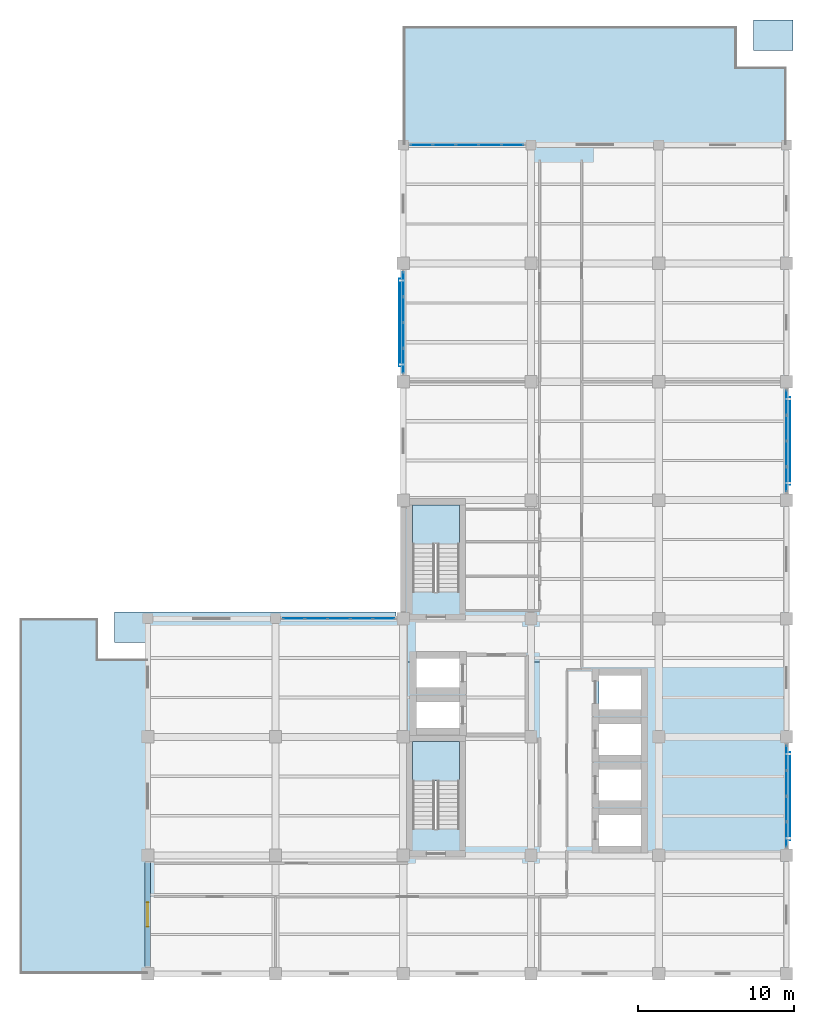
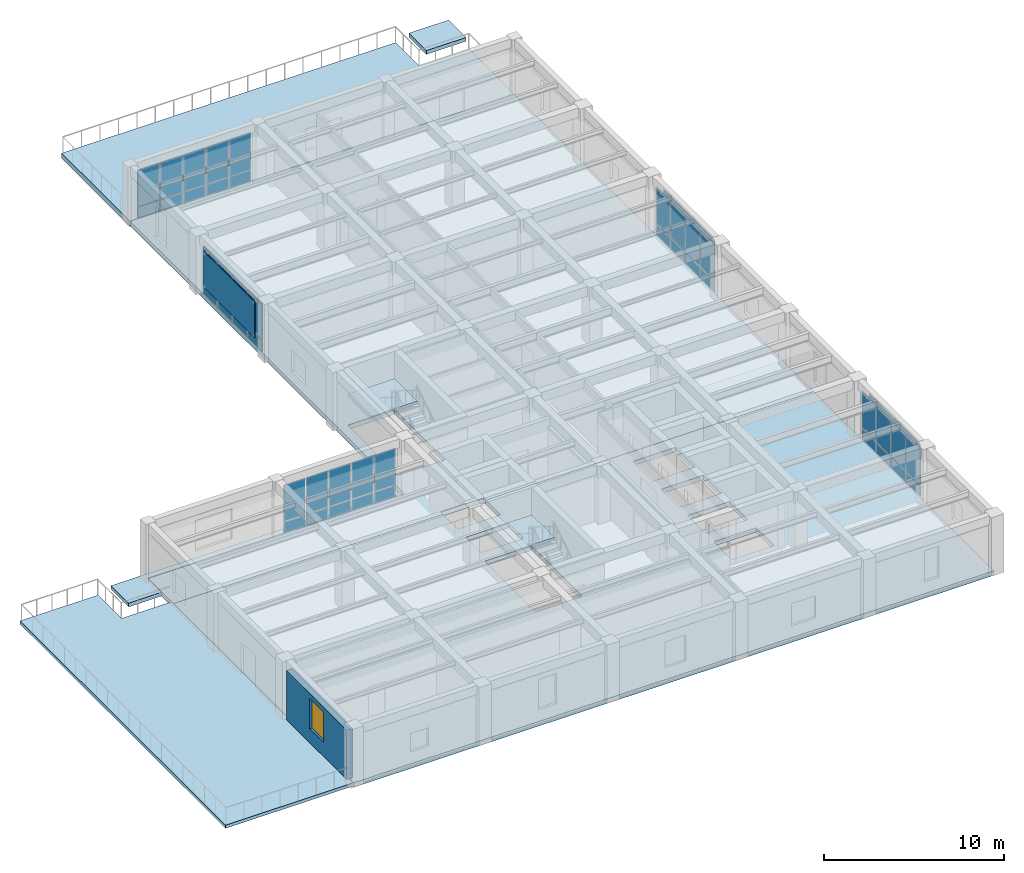
# One storey, part 6 of 14: 47 plates, 8 slabs, 1 wall, 1 window, 1 opening, 7 elements without a shape of their own.
"""IFC4 building model written with IfcOpenShell, lengths in metres."""

from ifc_helpers import new_model, si_unit, direction, frame, frame_2d, origin, origin_2d, place, context, subcontext, project, spatial, polyline, rectangle, outline, extrude, material, layer, layer_set, type_object, element, fill, aggregate, save


model = new_model("IFC4")

# Units and contexts
model_context = context("Model", 3, precision=1e-05, world=origin(), true_north=direction((0.0, 1.0)))
body_context = subcontext(model_context, "Body", "Model", "MODEL_VIEW")
ifc_project = project(units=[si_unit("LENGTHUNIT", "METRE"), si_unit("AREAUNIT", "SQUARE_METRE"), si_unit("VOLUMEUNIT", "CUBIC_METRE"), si_unit("PLANEANGLEUNIT", "RADIAN"), si_unit("MASSUNIT", "GRAM", prefix="KILO")], contexts=[model_context])

# Site, building, storey
site_placement = place(None, origin())
site = spatial("IfcSite", under=ifc_project, at=site_placement, CompositionType="ELEMENT")
building_placement = place(site_placement, origin())
building = spatial("IfcBuilding", under=site, at=building_placement, Name="Qandaris Square Conservatory and Botanical Centre", CompositionType="ELEMENT")
storey_placement = place(building_placement, frame((0.0, 0.0, 36.60009765625)))
storey = spatial("IfcBuildingStorey", under=building, at=storey_placement, Name="L08", CompositionType="ELEMENT", Elevation=36.60009765625)

# Curtain wall, plates
ifc_material_1 = material(Name="Anodised Aluminium", Category="aluminium")
curtain_wall_type_1 = type_object("IfcCurtainWallType", Name="Unitised Curtain Wall CW-4-660x335", PredefinedType="USERDEFINED", material=ifc_material_1)
curtain_wall_1_placement = place(storey_placement, origin())
curtain_wall_1 = element("IfcCurtainWall", 1, at=curtain_wall_1_placement, inside=storey, type_object=curtain_wall_type_1, Name="Curtain Wall CW-TWR-L08-2-2", ObjectType="GLAZED CURTAIN WALL", PredefinedType="USERDEFINED")
ifc_material_2 = material(Name="Tempered Low-E Glass", Category="glass")
ifc_layer_1 = layer(ifc_material_2, 0.035888671875)
ifc_layer_set_1 = layer_set([ifc_layer_1], Name="Tempered Low-E Glass")
plate_type_1 = type_object("IfcPlateType", Name="Double-Glazed Solar Control Vision Unit 36mm", PredefinedType="CURTAIN_PANEL", material=ifc_layer_set_1)
plate_1_placement = place(storey_placement, frame((163.800048828125, 25.541259765625, 0.06494140625), z_axis=(0.0, 0.0, 1.0), x_axis=(0.0, 1.0, 0.0)))
plate_1 = element("IfcPlate", 2, at=plate_1_placement, type_object=plate_type_1, Name="CW-4-660x335 panel 1.1", PredefinedType="CURTAIN_PANEL", context=body_context, shape_type="SweptSolid", body=[
    extrude(rectangle(XDim=1.552490234375, YDim=0.035888671875, at=origin_2d()), origin(), (0.0, 0.0, 1.0), 0.70654296875),
])
plate_2_placement = place(storey_placement, frame((163.800048828125, 25.541259765625, 0.83642578125), z_axis=(0.0, 0.0, 1.0), x_axis=(0.0, 1.0, 0.0)))
plate_2 = element("IfcPlate", 3, at=plate_2_placement, type_object=plate_type_1, Name="CW-4-660x335 panel 1.2", PredefinedType="CURTAIN_PANEL", context=body_context, shape_type="SweptSolid", body=[
    extrude(rectangle(XDim=1.552490234375, YDim=0.035888671875, at=origin_2d()), origin(), (0.0, 0.0, 1.0), 2.448486328125),
])
plate_3_placement = place(storey_placement, frame((163.800048828125, 27.175048828125, 0.06494140625), z_axis=(0.0, 0.0, 1.0), x_axis=(0.0, 1.0, 0.0)))
plate_3 = element("IfcPlate", 4, at=plate_3_placement, type_object=plate_type_1, Name="CW-4-660x335 panel 2.1", PredefinedType="CURTAIN_PANEL", context=body_context, shape_type="SweptSolid", body=[
    extrude(rectangle(XDim=1.5849609375, YDim=0.035888671875, at=origin_2d()), origin(), (0.0, 0.0, 1.0), 0.70654296875),
])
plate_4_placement = place(storey_placement, frame((163.800048828125, 27.175048828125, 0.83642578125), z_axis=(0.0, 0.0, 1.0), x_axis=(0.0, 1.0, 0.0)))
plate_4 = element("IfcPlate", 5, at=plate_4_placement, type_object=plate_type_1, Name="CW-4-660x335 panel 2.2", PredefinedType="CURTAIN_PANEL", context=body_context, shape_type="SweptSolid", body=[
    extrude(rectangle(XDim=1.5849609375, YDim=0.035888671875, at=origin_2d()), origin(), (0.0, 0.0, 1.0), 2.448486328125),
])
plate_5_placement = place(storey_placement, frame((163.800048828125, 28.824951171875, 0.06494140625), z_axis=(0.0, 0.0, 1.0), x_axis=(0.0, 1.0, 0.0)))
plate_5 = element("IfcPlate", 6, at=plate_5_placement, type_object=plate_type_1, Name="CW-4-660x335 panel 3.1", PredefinedType="CURTAIN_PANEL", context=body_context, shape_type="SweptSolid", body=[
    extrude(rectangle(XDim=1.5849609375, YDim=0.035888671875, at=origin_2d()), origin(), (0.0, 0.0, 1.0), 0.70654296875),
])
plate_6_placement = place(storey_placement, frame((163.800048828125, 28.824951171875, 0.83642578125), z_axis=(0.0, 0.0, 1.0), x_axis=(0.0, 1.0, 0.0)))
plate_6 = element("IfcPlate", 7, at=plate_6_placement, type_object=plate_type_1, Name="CW-4-660x335 panel 3.2", PredefinedType="CURTAIN_PANEL", context=body_context, shape_type="SweptSolid", body=[
    extrude(rectangle(XDim=1.5849609375, YDim=0.035888671875, at=origin_2d()), origin(), (0.0, 0.0, 1.0), 2.448486328125),
])
plate_7_placement = place(storey_placement, frame((163.800048828125, 30.458740234375, 0.06494140625), z_axis=(0.0, 0.0, 1.0), x_axis=(0.0, 1.0, 0.0)))
plate_7 = element("IfcPlate", 8, at=plate_7_placement, type_object=plate_type_1, Name="CW-4-660x335 panel 4.1", PredefinedType="CURTAIN_PANEL", context=body_context, shape_type="SweptSolid", body=[
    extrude(rectangle(XDim=1.552490234375, YDim=0.035888671875, at=origin_2d()), origin(), (0.0, 0.0, 1.0), 0.70654296875),
])
plate_8_placement = place(storey_placement, frame((163.800048828125, 30.458740234375, 0.83642578125), z_axis=(0.0, 0.0, 1.0), x_axis=(0.0, 1.0, 0.0)))
plate_8 = element("IfcPlate", 9, at=plate_8_placement, type_object=plate_type_1, Name="CW-4-660x335 panel 4.2", PredefinedType="CURTAIN_PANEL", context=body_context, shape_type="SweptSolid", body=[
    extrude(rectangle(XDim=1.552490234375, YDim=0.035888671875, at=origin_2d()), origin(), (0.0, 0.0, 1.0), 2.448486328125),
])
aggregate(curtain_wall_1, [plate_1, plate_2, plate_3, plate_4, plate_5, plate_6, plate_7, plate_8])

curtain_wall_2_placement = place(storey_placement, origin())
curtain_wall_2 = element("IfcCurtainWall", 10, at=curtain_wall_2_placement, inside=storey, type_object=curtain_wall_type_1, Name="Curtain Wall CW-TWR-L08-2-5", ObjectType="GLAZED CURTAIN WALL", PredefinedType="USERDEFINED")
plate_9_placement = place(storey_placement, frame((163.800048828125, 48.34130859375, 0.06494140625), z_axis=(0.0, 0.0, 1.0), x_axis=(0.0, 1.0, 0.0)))
plate_9 = element("IfcPlate", 11, at=plate_9_placement, type_object=plate_type_1, Name="CW-4-660x335 panel 1.1", PredefinedType="CURTAIN_PANEL", context=body_context, shape_type="SweptSolid", body=[
    extrude(rectangle(XDim=1.552490234375, YDim=0.035888671875, at=origin_2d()), origin(), (0.0, 0.0, 1.0), 0.70654296875),
])
plate_10_placement = place(storey_placement, frame((163.800048828125, 48.34130859375, 0.83642578125), z_axis=(0.0, 0.0, 1.0), x_axis=(0.0, 1.0, 0.0)))
plate_10 = element("IfcPlate", 12, at=plate_10_placement, type_object=plate_type_1, Name="CW-4-660x335 panel 1.2", PredefinedType="CURTAIN_PANEL", context=body_context, shape_type="SweptSolid", body=[
    extrude(rectangle(XDim=1.552490234375, YDim=0.035888671875, at=origin_2d()), origin(), (0.0, 0.0, 1.0), 2.448486328125),
])
plate_11_placement = place(storey_placement, frame((163.800048828125, 49.97509765625, 0.06494140625), z_axis=(0.0, 0.0, 1.0), x_axis=(0.0, 1.0, 0.0)))
plate_11 = element("IfcPlate", 13, at=plate_11_placement, type_object=plate_type_1, Name="CW-4-660x335 panel 2.1", PredefinedType="CURTAIN_PANEL", context=body_context, shape_type="SweptSolid", body=[
    extrude(rectangle(XDim=1.5849609375, YDim=0.035888671875, at=origin_2d()), origin(), (0.0, 0.0, 1.0), 0.70654296875),
])
plate_12_placement = place(storey_placement, frame((163.800048828125, 49.97509765625, 0.83642578125), z_axis=(0.0, 0.0, 1.0), x_axis=(0.0, 1.0, 0.0)))
plate_12 = element("IfcPlate", 14, at=plate_12_placement, type_object=plate_type_1, Name="CW-4-660x335 panel 2.2", PredefinedType="CURTAIN_PANEL", context=body_context, shape_type="SweptSolid", body=[
    extrude(rectangle(XDim=1.5849609375, YDim=0.035888671875, at=origin_2d()), origin(), (0.0, 0.0, 1.0), 2.448486328125),
])
plate_13_placement = place(storey_placement, frame((163.800048828125, 51.625, 0.06494140625), z_axis=(0.0, 0.0, 1.0), x_axis=(0.0, 1.0, 0.0)))
plate_13 = element("IfcPlate", 15, at=plate_13_placement, type_object=plate_type_1, Name="CW-4-660x335 panel 3.1", PredefinedType="CURTAIN_PANEL", context=body_context, shape_type="SweptSolid", body=[
    extrude(rectangle(XDim=1.5849609375, YDim=0.035888671875, at=origin_2d()), origin(), (0.0, 0.0, 1.0), 0.70654296875),
])
plate_14_placement = place(storey_placement, frame((163.800048828125, 51.625, 0.83642578125), z_axis=(0.0, 0.0, 1.0), x_axis=(0.0, 1.0, 0.0)))
plate_14 = element("IfcPlate", 16, at=plate_14_placement, type_object=plate_type_1, Name="CW-4-660x335 panel 3.2", PredefinedType="CURTAIN_PANEL", context=body_context, shape_type="SweptSolid", body=[
    extrude(rectangle(XDim=1.5849609375, YDim=0.035888671875, at=origin_2d()), origin(), (0.0, 0.0, 1.0), 2.448486328125),
])
plate_15_placement = place(storey_placement, frame((163.800048828125, 53.2587890625, 0.06494140625), z_axis=(0.0, 0.0, 1.0), x_axis=(0.0, 1.0, 0.0)))
plate_15 = element("IfcPlate", 17, at=plate_15_placement, type_object=plate_type_1, Name="CW-4-660x335 panel 4.1", PredefinedType="CURTAIN_PANEL", context=body_context, shape_type="SweptSolid", body=[
    extrude(rectangle(XDim=1.552490234375, YDim=0.035888671875, at=origin_2d()), origin(), (0.0, 0.0, 1.0), 0.70654296875),
])
plate_16_placement = place(storey_placement, frame((163.800048828125, 53.2587890625, 0.83642578125), z_axis=(0.0, 0.0, 1.0), x_axis=(0.0, 1.0, 0.0)))
plate_16 = element("IfcPlate", 18, at=plate_16_placement, type_object=plate_type_1, Name="CW-4-660x335 panel 4.2", PredefinedType="CURTAIN_PANEL", context=body_context, shape_type="SweptSolid", body=[
    extrude(rectangle(XDim=1.552490234375, YDim=0.035888671875, at=origin_2d()), origin(), (0.0, 0.0, 1.0), 2.448486328125),
])
aggregate(curtain_wall_2, [plate_9, plate_10, plate_11, plate_12, plate_13, plate_14, plate_15, plate_16])

curtain_wall_type_2 = type_object("IfcCurtainWallType", Name="Unitised Curtain Wall CW-3-735x335", PredefinedType="USERDEFINED", material=ifc_material_1)
curtain_wall_3_placement = place(storey_placement, origin())
curtain_wall_3 = element("IfcCurtainWall", 19, at=curtain_wall_3_placement, inside=storey, type_object=curtain_wall_type_2, Name="Curtain Wall CW-TWR-L08-3-3", ObjectType="GLAZED CURTAIN WALL", PredefinedType="USERDEFINED")
plate_17_placement = place(storey_placement, frame((146.2236328125, 69.800048828125, 0.06494140625), z_axis=(0.0, 0.0, 1.0), x_axis=(-1.0, 0.0, 0.0)))
plate_17 = element("IfcPlate", 20, at=plate_17_placement, type_object=plate_type_1, Name="CW-3-735x335 panel 1.1", PredefinedType="CURTAIN_PANEL", context=body_context, shape_type="SweptSolid", body=[
    extrude(rectangle(XDim=1.37255859375, YDim=0.035888671875, at=origin_2d()), origin(), (0.0, 0.0, 1.0), 0.70654296875),
])
plate_18_placement = place(storey_placement, frame((146.2236328125, 69.800048828125, 0.83642578125), z_axis=(0.0, 0.0, 1.0), x_axis=(-1.0, 0.0, 0.0)))
plate_18 = element("IfcPlate", 21, at=plate_18_placement, type_object=plate_type_1, Name="CW-3-735x335 panel 1.2", PredefinedType="CURTAIN_PANEL", context=body_context, shape_type="SweptSolid", body=[
    extrude(rectangle(XDim=1.37255859375, YDim=0.035888671875, at=origin_2d()), origin(), (0.0, 0.0, 1.0), 2.448486328125),
])
plate_19_placement = place(storey_placement, frame((144.77001953125, 69.800048828125, 0.06494140625), z_axis=(0.0, 0.0, 1.0), x_axis=(-1.0, 0.0, 0.0)))
plate_19 = element("IfcPlate", 22, at=plate_19_placement, type_object=plate_type_1, Name="CW-3-735x335 panel 2.1", PredefinedType="CURTAIN_PANEL", context=body_context, shape_type="SweptSolid", body=[
    extrude(rectangle(XDim=1.405029296875, YDim=0.035888671875, at=origin_2d()), origin(), (0.0, 0.0, 1.0), 0.70654296875),
])
plate_20_placement = place(storey_placement, frame((144.77001953125, 69.800048828125, 0.83642578125), z_axis=(0.0, 0.0, 1.0), x_axis=(-1.0, 0.0, 0.0)))
plate_20 = element("IfcPlate", 23, at=plate_20_placement, type_object=plate_type_1, Name="CW-3-735x335 panel 2.2", PredefinedType="CURTAIN_PANEL", context=body_context, shape_type="SweptSolid", body=[
    extrude(rectangle(XDim=1.405029296875, YDim=0.035888671875, at=origin_2d()), origin(), (0.0, 0.0, 1.0), 2.448486328125),
])
plate_21_placement = place(storey_placement, frame((143.300048828125, 69.800048828125, 0.06494140625), z_axis=(0.0, 0.0, 1.0), x_axis=(-1.0, 0.0, 0.0)))
plate_21 = element("IfcPlate", 24, at=plate_21_placement, type_object=plate_type_1, Name="CW-3-735x335 panel 3.1", PredefinedType="CURTAIN_PANEL", context=body_context, shape_type="SweptSolid", body=[
    extrude(rectangle(XDim=1.405029296875, YDim=0.035888671875, at=origin_2d()), origin(), (0.0, 0.0, 1.0), 0.70654296875),
])
plate_22_placement = place(storey_placement, frame((143.300048828125, 69.800048828125, 0.83642578125), z_axis=(0.0, 0.0, 1.0), x_axis=(-1.0, 0.0, 0.0)))
plate_22 = element("IfcPlate", 25, at=plate_22_placement, type_object=plate_type_1, Name="CW-3-735x335 panel 3.2", PredefinedType="CURTAIN_PANEL", context=body_context, shape_type="SweptSolid", body=[
    extrude(rectangle(XDim=1.405029296875, YDim=0.035888671875, at=origin_2d()), origin(), (0.0, 0.0, 1.0), 2.448486328125),
])
plate_23_placement = place(storey_placement, frame((141.830078125, 69.800048828125, 0.06494140625), z_axis=(0.0, 0.0, 1.0), x_axis=(-1.0, 0.0, 0.0)))
plate_23 = element("IfcPlate", 26, at=plate_23_placement, type_object=plate_type_1, Name="CW-3-735x335 panel 4.1", PredefinedType="CURTAIN_PANEL", context=body_context, shape_type="SweptSolid", body=[
    extrude(rectangle(XDim=1.405029296875, YDim=0.035888671875, at=origin_2d()), origin(), (0.0, 0.0, 1.0), 0.70654296875),
])
plate_24_placement = place(storey_placement, frame((141.830078125, 69.800048828125, 0.83642578125), z_axis=(0.0, 0.0, 1.0), x_axis=(-1.0, 0.0, 0.0)))
plate_24 = element("IfcPlate", 27, at=plate_24_placement, type_object=plate_type_1, Name="CW-3-735x335 panel 4.2", PredefinedType="CURTAIN_PANEL", context=body_context, shape_type="SweptSolid", body=[
    extrude(rectangle(XDim=1.405029296875, YDim=0.035888671875, at=origin_2d()), origin(), (0.0, 0.0, 1.0), 2.448486328125),
])
plate_25_placement = place(storey_placement, frame((140.376220703125, 69.800048828125, 0.06494140625), z_axis=(0.0, 0.0, 1.0), x_axis=(-1.0, 0.0, 0.0)))
plate_25 = element("IfcPlate", 28, at=plate_25_placement, type_object=plate_type_1, Name="CW-3-735x335 panel 5.1", PredefinedType="CURTAIN_PANEL", context=body_context, shape_type="SweptSolid", body=[
    extrude(rectangle(XDim=1.37255859375, YDim=0.035888671875, at=origin_2d()), origin(), (0.0, 0.0, 1.0), 0.70654296875),
])
plate_26_placement = place(storey_placement, frame((140.376220703125, 69.800048828125, 0.83642578125), z_axis=(0.0, 0.0, 1.0), x_axis=(-1.0, 0.0, 0.0)))
plate_26 = element("IfcPlate", 29, at=plate_26_placement, type_object=plate_type_1, Name="CW-3-735x335 panel 5.2", PredefinedType="CURTAIN_PANEL", context=body_context, shape_type="SweptSolid", body=[
    extrude(rectangle(XDim=1.37255859375, YDim=0.035888671875, at=origin_2d()), origin(), (0.0, 0.0, 1.0), 2.448486328125),
])
aggregate(curtain_wall_3, [plate_17, plate_18, plate_19, plate_20, plate_21, plate_22, plate_23, plate_24, plate_25, plate_26])

curtain_wall_4_placement = place(storey_placement, origin())
curtain_wall_4 = element("IfcCurtainWall", 30, at=curtain_wall_4_placement, inside=storey, type_object=curtain_wall_type_1, Name="Curtain Wall CW-TWR-L08-4-2", ObjectType="GLAZED CURTAIN WALL", PredefinedType="USERDEFINED")
plate_27_placement = place(storey_placement, frame((139.199951171875, 60.858642578125, 0.06494140625), z_axis=(0.0, 0.0, 1.0), x_axis=(0.0, -1.0, 0.0)))
plate_27 = element("IfcPlate", 31, at=plate_27_placement, type_object=plate_type_1, Name="CW-4-660x335 panel 1.1", PredefinedType="CURTAIN_PANEL", context=body_context, shape_type="SweptSolid", body=[
    extrude(rectangle(XDim=1.552490234375, YDim=0.035888671875, at=origin_2d()), origin(), (0.0, 0.0, 1.0), 0.70654296875),
])
plate_28_placement = place(storey_placement, frame((139.199951171875, 60.858642578125, 0.83642578125), z_axis=(0.0, 0.0, 1.0), x_axis=(0.0, -1.0, 0.0)))
plate_28 = element("IfcPlate", 32, at=plate_28_placement, type_object=plate_type_1, Name="CW-4-660x335 panel 1.2", PredefinedType="CURTAIN_PANEL", context=body_context, shape_type="SweptSolid", body=[
    extrude(rectangle(XDim=1.552490234375, YDim=0.035888671875, at=origin_2d()), origin(), (0.0, 0.0, 1.0), 2.448486328125),
])
plate_29_placement = place(storey_placement, frame((139.199951171875, 59.22509765625, 0.06494140625), z_axis=(0.0, 0.0, 1.0), x_axis=(0.0, -1.0, 0.0)))
plate_29 = element("IfcPlate", 33, at=plate_29_placement, type_object=plate_type_1, Name="CW-4-660x335 panel 2.1", PredefinedType="CURTAIN_PANEL", context=body_context, shape_type="SweptSolid", body=[
    extrude(rectangle(XDim=1.5849609375, YDim=0.035888671875, at=origin_2d()), origin(), (0.0, 0.0, 1.0), 0.70654296875),
])
plate_30_placement = place(storey_placement, frame((139.199951171875, 59.22509765625, 0.83642578125), z_axis=(0.0, 0.0, 1.0), x_axis=(0.0, -1.0, 0.0)))
plate_30 = element("IfcPlate", 34, at=plate_30_placement, type_object=plate_type_1, Name="CW-4-660x335 panel 2.2", PredefinedType="CURTAIN_PANEL", context=body_context, shape_type="SweptSolid", body=[
    extrude(rectangle(XDim=1.5849609375, YDim=0.035888671875, at=origin_2d()), origin(), (0.0, 0.0, 1.0), 2.448486328125),
])
plate_31_placement = place(storey_placement, frame((139.199951171875, 57.574951171875, 0.06494140625), z_axis=(0.0, 0.0, 1.0), x_axis=(0.0, -1.0, 0.0)))
plate_31 = element("IfcPlate", 35, at=plate_31_placement, type_object=plate_type_1, Name="CW-4-660x335 panel 3.1", PredefinedType="CURTAIN_PANEL", context=body_context, shape_type="SweptSolid", body=[
    extrude(rectangle(XDim=1.5849609375, YDim=0.035888671875, at=origin_2d()), origin(), (0.0, 0.0, 1.0), 0.70654296875),
])
plate_32_placement = place(storey_placement, frame((139.199951171875, 57.574951171875, 0.83642578125), z_axis=(0.0, 0.0, 1.0), x_axis=(0.0, -1.0, 0.0)))
plate_32 = element("IfcPlate", 36, at=plate_32_placement, type_object=plate_type_1, Name="CW-4-660x335 panel 3.2", PredefinedType="CURTAIN_PANEL", context=body_context, shape_type="SweptSolid", body=[
    extrude(rectangle(XDim=1.5849609375, YDim=0.035888671875, at=origin_2d()), origin(), (0.0, 0.0, 1.0), 2.448486328125),
])
plate_33_placement = place(storey_placement, frame((139.199951171875, 55.941162109375, 0.06494140625), z_axis=(0.0, 0.0, 1.0), x_axis=(0.0, -1.0, 0.0)))
plate_33 = element("IfcPlate", 37, at=plate_33_placement, type_object=plate_type_1, Name="CW-4-660x335 panel 4.1", PredefinedType="CURTAIN_PANEL", context=body_context, shape_type="SweptSolid", body=[
    extrude(rectangle(XDim=1.552490234375, YDim=0.035888671875, at=origin_2d()), origin(), (0.0, 0.0, 1.0), 0.70654296875),
])
plate_34_placement = place(storey_placement, frame((139.199951171875, 55.941162109375, 0.83642578125), z_axis=(0.0, 0.0, 1.0), x_axis=(0.0, -1.0, 0.0)))
plate_34 = element("IfcPlate", 38, at=plate_34_placement, type_object=plate_type_1, Name="CW-4-660x335 panel 4.2", PredefinedType="CURTAIN_PANEL", context=body_context, shape_type="SweptSolid", body=[
    extrude(rectangle(XDim=1.552490234375, YDim=0.035888671875, at=origin_2d()), origin(), (0.0, 0.0, 1.0), 2.448486328125),
])
aggregate(curtain_wall_4, [plate_27, plate_28, plate_29, plate_30, plate_31, plate_32, plate_33, plate_34])

curtain_wall_type_3 = type_object("IfcCurtainWallType", Name="Unitised Curtain Wall CW-4-727x335", PredefinedType="USERDEFINED", material=ifc_material_1)
curtain_wall_5_placement = place(storey_placement, origin())
curtain_wall_5 = element("IfcCurtainWall", 39, at=curtain_wall_5_placement, inside=storey, type_object=curtain_wall_type_3, Name="Curtain Wall CW-TWR-L08-5-1", ObjectType="GLAZED CURTAIN WALL", PredefinedType="USERDEFINED")
plate_35_placement = place(storey_placement, frame((137.956298828125, 39.39990234375, 0.06494140625), z_axis=(0.0, 0.0, 1.0), x_axis=(-1.0, 0.0, 0.0)))
plate_35 = element("IfcPlate", 40, at=plate_35_placement, type_object=plate_type_1, Name="CW-4-727x335 panel 1.1", PredefinedType="CURTAIN_PANEL", context=body_context, shape_type="SweptSolid", body=[
    extrude(rectangle(XDim=1.357421875, YDim=0.035888671875, at=origin_2d()), origin(), (0.0, 0.0, 1.0), 0.70654296875),
])
plate_36_placement = place(storey_placement, frame((137.956298828125, 39.39990234375, 0.83642578125), z_axis=(0.0, 0.0, 1.0), x_axis=(-1.0, 0.0, 0.0)))
plate_36 = element("IfcPlate", 41, at=plate_36_placement, type_object=plate_type_1, Name="CW-4-727x335 panel 1.2", PredefinedType="CURTAIN_PANEL", context=body_context, shape_type="SweptSolid", body=[
    extrude(rectangle(XDim=1.357421875, YDim=0.035888671875, at=origin_2d()), origin(), (0.0, 0.0, 1.0), 2.448486328125),
])
plate_37_placement = place(storey_placement, frame((136.517578125, 39.39990234375, 0.06494140625), z_axis=(0.0, 0.0, 1.0), x_axis=(-1.0, 0.0, 0.0)))
plate_37 = element("IfcPlate", 42, at=plate_37_placement, type_object=plate_type_1, Name="CW-4-727x335 panel 2.1", PredefinedType="CURTAIN_PANEL", context=body_context, shape_type="SweptSolid", body=[
    extrude(rectangle(XDim=1.389892578125, YDim=0.035888671875, at=origin_2d()), origin(), (0.0, 0.0, 1.0), 0.70654296875),
])
plate_38_placement = place(storey_placement, frame((136.517578125, 39.39990234375, 0.83642578125), z_axis=(0.0, 0.0, 1.0), x_axis=(-1.0, 0.0, 0.0)))
plate_38 = element("IfcPlate", 43, at=plate_38_placement, type_object=plate_type_1, Name="CW-4-727x335 panel 2.2", PredefinedType="CURTAIN_PANEL", context=body_context, shape_type="SweptSolid", body=[
    extrude(rectangle(XDim=1.389892578125, YDim=0.035888671875, at=origin_2d()), origin(), (0.0, 0.0, 1.0), 2.448486328125),
])
plate_39_placement = place(storey_placement, frame((135.0625, 39.39990234375, 0.06494140625), z_axis=(0.0, 0.0, 1.0), x_axis=(-1.0, 0.0, 0.0)))
plate_39 = element("IfcPlate", 44, at=plate_39_placement, type_object=plate_type_1, Name="CW-4-727x335 panel 3.1", PredefinedType="CURTAIN_PANEL", context=body_context, shape_type="SweptSolid", body=[
    extrude(rectangle(XDim=1.389892578125, YDim=0.035888671875, at=origin_2d()), origin(), (0.0, 0.0, 1.0), 0.70654296875),
])
plate_40_placement = place(storey_placement, frame((135.0625, 39.39990234375, 0.83642578125), z_axis=(0.0, 0.0, 1.0), x_axis=(-1.0, 0.0, 0.0)))
plate_40 = element("IfcPlate", 45, at=plate_40_placement, type_object=plate_type_1, Name="CW-4-727x335 panel 3.2", PredefinedType="CURTAIN_PANEL", context=body_context, shape_type="SweptSolid", body=[
    extrude(rectangle(XDim=1.389892578125, YDim=0.035888671875, at=origin_2d()), origin(), (0.0, 0.0, 1.0), 2.448486328125),
])
plate_41_placement = place(storey_placement, frame((133.607421875, 39.39990234375, 0.06494140625), z_axis=(0.0, 0.0, 1.0), x_axis=(-1.0, 0.0, 0.0)))
plate_41 = element("IfcPlate", 46, at=plate_41_placement, type_object=plate_type_1, Name="CW-4-727x335 panel 4.1", PredefinedType="CURTAIN_PANEL", context=body_context, shape_type="SweptSolid", body=[
    extrude(rectangle(XDim=1.389892578125, YDim=0.035888671875, at=origin_2d()), origin(), (0.0, 0.0, 1.0), 0.70654296875),
])
plate_42_placement = place(storey_placement, frame((133.607421875, 39.39990234375, 0.83642578125), z_axis=(0.0, 0.0, 1.0), x_axis=(-1.0, 0.0, 0.0)))
plate_42 = element("IfcPlate", 47, at=plate_42_placement, type_object=plate_type_1, Name="CW-4-727x335 panel 4.2", PredefinedType="CURTAIN_PANEL", context=body_context, shape_type="SweptSolid", body=[
    extrude(rectangle(XDim=1.389892578125, YDim=0.035888671875, at=origin_2d()), origin(), (0.0, 0.0, 1.0), 2.448486328125),
])
plate_43_placement = place(storey_placement, frame((132.168701171875, 39.39990234375, 0.06494140625), z_axis=(0.0, 0.0, 1.0), x_axis=(-1.0, 0.0, 0.0)))
plate_43 = element("IfcPlate", 48, at=plate_43_placement, type_object=plate_type_1, Name="CW-4-727x335 panel 5.1", PredefinedType="CURTAIN_PANEL", context=body_context, shape_type="SweptSolid", body=[
    extrude(rectangle(XDim=1.357421875, YDim=0.035888671875, at=origin_2d()), origin(), (0.0, 0.0, 1.0), 0.70654296875),
])
plate_44_placement = place(storey_placement, frame((132.168701171875, 39.39990234375, 0.83642578125), z_axis=(0.0, 0.0, 1.0), x_axis=(-1.0, 0.0, 0.0)))
plate_44 = element("IfcPlate", 49, at=plate_44_placement, type_object=plate_type_1, Name="CW-4-727x335 panel 5.2", PredefinedType="CURTAIN_PANEL", context=body_context, shape_type="SweptSolid", body=[
    extrude(rectangle(XDim=1.357421875, YDim=0.035888671875, at=origin_2d()), origin(), (0.0, 0.0, 1.0), 2.448486328125),
])
aggregate(curtain_wall_5, [plate_35, plate_36, plate_37, plate_38, plate_39, plate_40, plate_41, plate_42, plate_43, plate_44])

# Plates
ifc_material_3 = material(Name="Weathering Bronze Alloy", Category="metal")
ifc_layer_2 = layer(ifc_material_3, 0.044921875)
ifc_layer_set_2 = layer_set([ifc_layer_2], Name="Weathering Bronze Alloy")
plate_type_2 = type_object("IfcPlateType", Name="Perforated Bronze Mashrabiya Solar Screen Panel", PredefinedType="USERDEFINED", material=ifc_layer_set_2)
for number, where, z_axis, x_axis, name in (
    (50, (164.02001953125, 28.0, 0.833984375), (0.0, 0.0, 1.0), (0.0, 1.0, 0.0), "Mashrabiya Solar Screen CW-TWR-L08-2-2"),
    (51, (164.02001953125, 50.800048828125, 0.833984375), (0.0, 0.0, 1.0), (0.0, 1.0, 0.0), "Mashrabiya Solar Screen CW-TWR-L08-2-5"),
    (52, (138.97998046875, 58.39990234375, 0.833984375), (0.0, 0.0, 1.0), (0.0, -1.0, 0.0), "Mashrabiya Solar Screen CW-TWR-L08-4-2"),
):
    element("IfcPlate", number, at=place(storey_placement, frame(where, z_axis=z_axis, x_axis=x_axis)), inside=storey, type_object=plate_type_2, Name=name, ObjectType="SOLAR SCREEN", PredefinedType="USERDEFINED", context=body_context, shape_type="SweptSolid", body=[
        extrude(rectangle(XDim=5.639892578125, YDim=0.044921875, at=origin_2d()), origin(), (0.0, 0.0, 1.0), 2.426025390625),
    ])

# Slabs
ifc_material_4 = material(Name="Concrete C40/50", Category="concrete")
ifc_layer_3 = layer(ifc_material_4, 0.215087890625)
ifc_layer_set_3 = layer_set([ifc_layer_3], Name="Concrete C40/50")
slab_type_1 = type_object("IfcSlabType", Name="RC Exterior Terrace Slab 215mm", PredefinedType="FLOOR", material=ifc_layer_set_3)
slab_1_placement = place(storey_placement, frame((0.0, 0.0, -0.215087890625)))
element("IfcSlab", 53, at=slab_1_placement, inside=storey, type_object=slab_type_1, Name="Square Overlook Setback Terrace L08", PredefinedType="FLOOR", context=body_context, shape_type="SweptSolid", body=[
    extrude(outline(polyline([(122.800048828125, 16.60009765625), (114.60009765625, 16.60009765625), (114.60009765625, 39.39990234375), (119.60009765625, 39.39990234375), (119.60009765625, 36.800048828125), (122.800048828125, 36.800048828125), (122.800048828125, 16.60009765625)])), origin(), (0.0, 0.0, 1.0), 0.215087890625),
])
ifc_layer_4 = layer(ifc_material_4, 0.360107421875)
ifc_layer_set_4 = layer_set([ifc_layer_4], Name="Concrete C40/50")
slab_type_2 = type_object("IfcSlabType", Name="RC Exterior Terrace Slab 360mm", PredefinedType="FLOOR", material=ifc_layer_set_4)
slab_2_placement = place(storey_placement, frame((0.0, 0.0, -0.360107421875)))
element("IfcSlab", 54, at=slab_2_placement, inside=storey, type_object=slab_type_2, Name="Arid Flora Setback Terrace L08", PredefinedType="FLOOR", context=body_context, shape_type="SweptSolid", body=[
    extrude(outline(polyline([(163.800048828125, 69.800048828125), (139.199951171875, 69.800048828125), (139.199951171875, 77.39990234375), (160.60009765625, 77.39990234375), (160.60009765625, 74.800048828125), (163.800048828125, 74.800048828125), (163.800048828125, 69.800048828125)])), origin(), (0.0, 0.0, 1.0), 0.360107421875),
])
ifc_layer_5 = layer(ifc_material_4, 0.2548828125)
ifc_layer_set_5 = layer_set([ifc_layer_5], Name="Concrete C40/50")
slab_type_3 = type_object("IfcSlabType", Name="RC Flat Roof Slab 255mm", PredefinedType="ROOF", material=ifc_layer_set_5)
slab_3_placement = place(storey_placement, frame((0.0, 0.0, -0.255126953125)))
element("IfcSlab", 55, at=slab_3_placement, inside=storey, type_object=slab_type_3, Name="Step-Back Flat Roof Slab L08-1", PredefinedType="ROOF", context=body_context, shape_type="SweptSolid", body=[
    extrude(outline(polyline([(122.780029296875, 39.419921875), (122.780029296875, 37.8701171875), (120.669921875, 37.8701171875), (120.669921875, 39.820068359375), (138.75, 39.820068359375), (138.75, 39.419921875), (122.780029296875, 39.419921875)])), origin(), (0.0, 0.0, 1.0), 0.255126953125),
])
slab_4_placement = place(storey_placement, frame((0.0, 0.0, -0.255126953125)))
element("IfcSlab", 56, at=slab_4_placement, inside=storey, type_object=slab_type_3, Name="Step-Back Flat Roof Slab L08-2", PredefinedType="ROOF", context=body_context, shape_type="SweptSolid", body=[
    extrude(outline(polyline([(164.219970703125, 75.8701171875), (161.669921875, 75.8701171875), (161.669921875, 77.820068359375), (164.219970703125, 77.820068359375), (164.219970703125, 75.8701171875)])), origin(), (0.0, 0.0, 1.0), 0.255126953125),
])

# Stair, slab
stair_type = type_object("IfcStairType", Name="Core Escape Scissor Stair", PredefinedType="HALF_TURN_STAIR", material=ifc_material_4)
stair_1_placement = place(storey_placement, origin())
stair_1 = element("IfcStair", 57, at=stair_1_placement, inside=storey, type_object=stair_type, Name="L08 Tower South Exit Stair ST-1", PredefinedType="HALF_TURN_STAIR")
ifc_layer_6 = layer(ifc_material_4, 0.219970703125)
ifc_layer_set_6 = layer_set([ifc_layer_6], Name="Concrete C40/50")
slab_type_4 = type_object("IfcSlabType", Name="RC Stair Half-Landing Slab 220mm", PredefinedType="LANDING", material=ifc_layer_set_6)
slab_5_placement = place(storey_placement, frame((0.0, 0.0, 1.89990234375)))
slab_5 = element("IfcSlab", 58, at=slab_5_placement, type_object=slab_type_4, Name="ST-1 landing 1", PredefinedType="LANDING", context=body_context, shape_type="SweptSolid", body=[
    extrude(outline(polyline([(142.800048828125, 28.97998046875), (142.800048828125, 31.5), (139.800048828125, 31.5), (139.800048828125, 28.97998046875), (142.800048828125, 28.97998046875)])), origin(), (0.0, 0.0, 1.0), 0.199951171875),
])
aggregate(stair_1, [slab_5])

stair_2_placement = place(storey_placement, origin())
stair_2 = element("IfcStair", 59, at=stair_2_placement, inside=storey, type_object=stair_type, Name="L08 Tower North Exit Stair ST-2", PredefinedType="HALF_TURN_STAIR")
slab_6_placement = place(storey_placement, frame((0.0, 0.0, 1.89990234375)))
slab_6 = element("IfcSlab", 60, at=slab_6_placement, type_object=slab_type_4, Name="ST-2 landing 1", PredefinedType="LANDING", context=body_context, shape_type="SweptSolid", body=[
    extrude(outline(polyline([(142.800048828125, 44.179931640625), (142.800048828125, 46.699951171875), (139.800048828125, 46.699951171875), (139.800048828125, 44.179931640625), (142.800048828125, 44.179931640625)])), origin(), (0.0, 0.0, 1.0), 0.199951171875),
])
aggregate(stair_2, [slab_6])

# Slabs
ifc_layer_7 = layer(ifc_material_4, 0.31005859375)
ifc_layer_set_7 = layer_set([ifc_layer_7], Name="Concrete C40/50")
slab_type_5 = type_object("IfcSlabType", Name="RC Structural Slab 310mm", PredefinedType="FLOOR", material=ifc_layer_set_7)
slab_7_placement = place(storey_placement, frame((0.0, 0.0, -0.31005859375)))
element("IfcSlab", 61, at=slab_7_placement, inside=storey, type_object=slab_type_5, Name="L08 Structural Slab V4L08", PredefinedType="FLOOR", context=body_context, shape_type="SweptSolid", body=[
    extrude(outline(polyline([(163.800048828125, 16.60009765625), (122.800048828125, 16.60009765625), (122.800048828125, 36.60009765625), (140.06005859375, 36.60009765625), (140.06005859375, 34.9599609375), (142.800048828125, 34.9599609375), (142.800048828125, 36.60009765625), (163.800048828125, 36.60009765625), (163.800048828125, 16.60009765625)]), holes=[polyline([(151.75, 24.800048828125), (154.449951171875, 24.800048828125), (154.449951171875, 26.800048828125), (151.75, 26.800048828125), (151.75, 24.800048828125)]), polyline([(139.800048828125, 25.89990234375), (142.800048828125, 25.89990234375), (142.800048828125, 31.5), (139.800048828125, 31.5), (139.800048828125, 25.89990234375)]), polyline([(151.75, 27.719970703125), (154.449951171875, 27.719970703125), (154.449951171875, 29.719970703125), (151.75, 29.719970703125), (151.75, 27.719970703125)]), polyline([(151.75, 30.639892578125), (154.449951171875, 30.639892578125), (154.449951171875, 32.639892578125), (151.75, 32.639892578125), (151.75, 30.639892578125)]), polyline([(140.06005859375, 32.360107421875), (142.800048828125, 32.360107421875), (142.800048828125, 34.0400390625), (140.06005859375, 34.0400390625), (140.06005859375, 32.360107421875)]), polyline([(151.75, 33.56005859375), (154.449951171875, 33.56005859375), (154.449951171875, 35.760009765625), (151.75, 35.760009765625), (151.75, 33.56005859375)])]), origin(), (0.0, 0.0, 1.0), 0.31005859375),
])
slab_8_placement = place(storey_placement, frame((0.0, 0.0, -0.31005859375)))
element("IfcSlab", 62, at=slab_8_placement, inside=storey, type_object=slab_type_5, Name="L08 Structural Slab V4L08", PredefinedType="FLOOR", context=body_context, shape_type="SweptSolid", body=[
    extrude(outline(polyline([(139.199951171875, 39.39990234375), (139.199951171875, 69.800048828125), (163.800048828125, 69.800048828125), (163.800048828125, 36.60009765625), (142.800048828125, 36.60009765625), (142.800048828125, 36.840087890625), (140.06005859375, 36.840087890625), (140.06005859375, 36.60009765625), (122.800048828125, 36.60009765625), (122.800048828125, 39.39990234375), (139.199951171875, 39.39990234375)]), holes=[polyline([(139.800048828125, 41.10009765625), (142.800048828125, 41.10009765625), (142.800048828125, 46.699951171875), (139.800048828125, 46.699951171875), (139.800048828125, 41.10009765625)])]), origin(), (0.0, 0.0, 1.0), 0.31005859375),
])

# Wall, opening, window
ifc_material_5 = material(Name="Precast concrete C40/50", Category="concrete")
ifc_layer_8 = layer(ifc_material_5, 0.360107421875)
ifc_layer_set_8 = layer_set([ifc_layer_8], Name="Precast concrete C40/50")
wall_type = type_object("IfcWallType", Name="Architectural Precast Cladding Wall 360mm", PredefinedType="SOLIDWALL", material=ifc_layer_set_8)
wall_placement = place(storey_placement, frame((122.800048828125, 23.739990234375, 0.0), z_axis=(0.0, 0.0, 1.0), x_axis=(0.0, -1.0, 0.0)))
wall = element("IfcWall", 63, at=wall_placement, inside=storey, type_object=wall_type, Name="Exterior Wall EW-TWR-L08-6-3", PredefinedType="SOLIDWALL", context=body_context, shape_type="SweptSolid", body=[
    extrude(rectangle(XDim=6.679931640625, YDim=0.360107421875, at=frame_2d((3.33984375, 0.0))), origin(), (0.0, 0.0, 1.0), 3.3349609375),
])
opening_placement = place(wall_placement, frame((2.56494140625, 0.0, 0.949951171875)))
opening = element("IfcOpeningElement", 64, at=opening_placement, cuts=wall, Name="Opening WN-28", PredefinedType="OPENING", context=body_context, shape_type="SweptSolid", body=[
    extrude(rectangle(XDim=1.550048828125, YDim=2.050048828125, at=frame_2d((0.77490234375, 1.02490234375))), frame((0.0, 0.19189453125, 0.0), z_axis=(0.0, -1.0, 0.0), x_axis=(1.0, 0.0, 0.0)), (0.0, 0.0, 1.0), 0.384033203125),
])
window_type = type_object("IfcWindowType", Name="Solar Control Window 1550x2050", PartitioningType="DOUBLE_PANEL_VERTICAL", PredefinedType="WINDOW", material=ifc_material_2)
window_placement = place(opening_placement, origin())
window = element("IfcWindow", 65, at=window_placement, inside=storey, type_object=window_type, Name="Window EW-TWR-L08-6-3", OverallHeight=2.050048828125, OverallWidth=1.550048828125, PartitioningType="DOUBLE_PANEL_VERTICAL", PredefinedType="WINDOW", context=body_context, shape_type="SweptSolid", body=[
    extrude(rectangle(XDim=1.550048828125, YDim=2.050048828125, at=frame_2d((0.77490234375, 1.02490234375))), frame((0.0, 0.030029296875, 0.0), z_axis=(0.0, -1.0, 0.0), x_axis=(1.0, 0.0, 0.0)), (0.0, 0.0, 1.0), 0.06005859375),
])
fill(opening, window)

save(model, "model.ifc")
